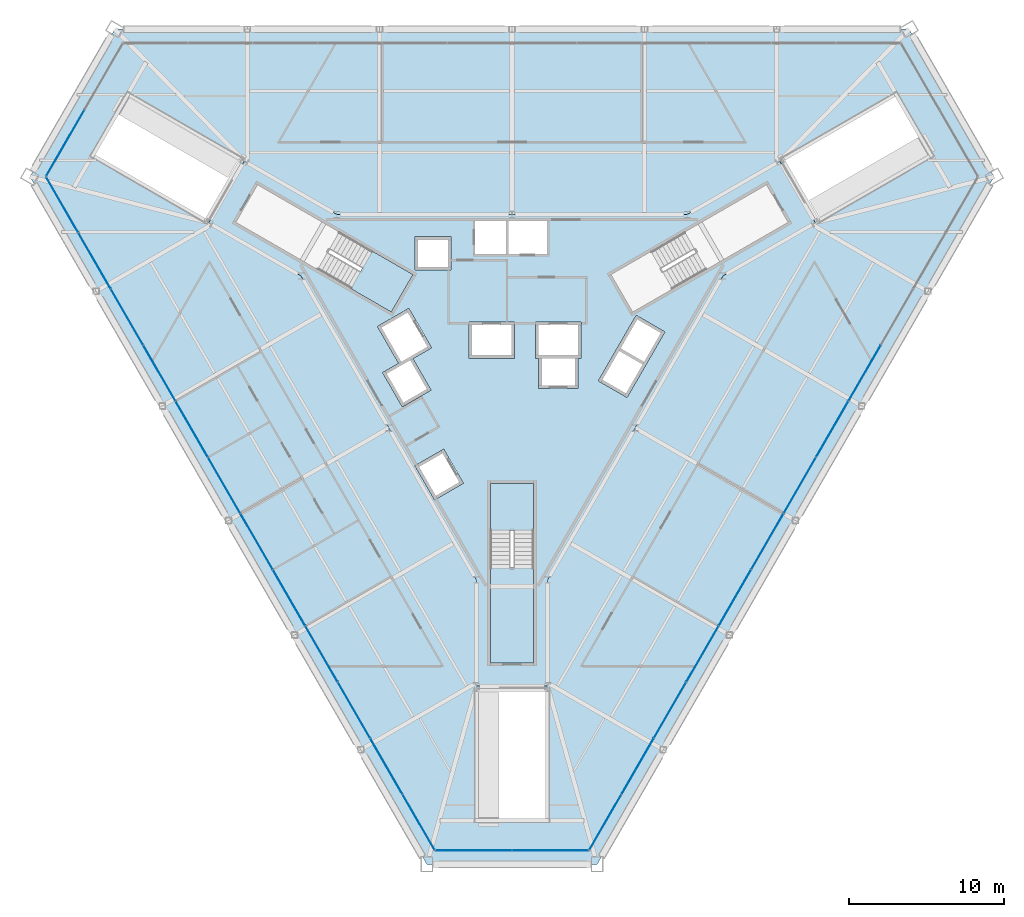
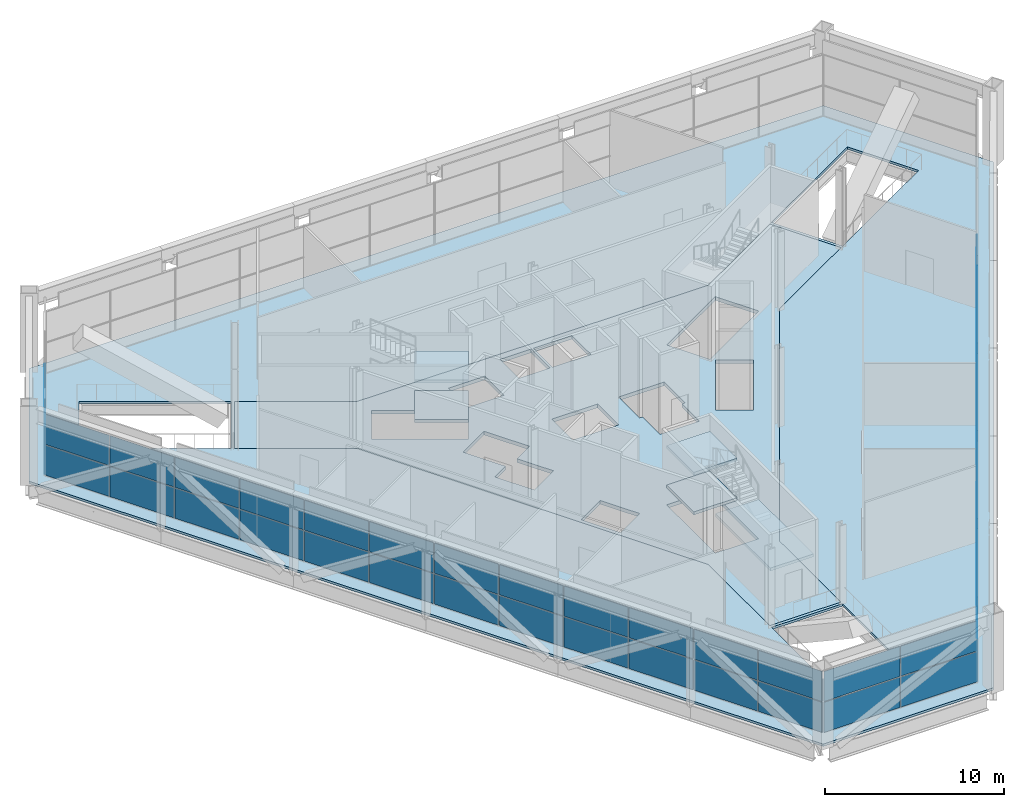
# One storey, part 11 of 20: 48 plates, 7 slabs, 6 elements without a shape of their own.
"""IFC4 building model written with IfcOpenShell, lengths in metres."""

from ifc_helpers import new_model, si_unit, direction, frame, origin, origin_2d, place, context, subcontext, project, spatial, polyline, rectangle, outline, extrude, material, layer, layer_set, type_object, element, aggregate, save


model = new_model("IFC4")

# Units and contexts
model_context = context("Model", 3, precision=1e-05, world=origin(), true_north=direction((0.0, 1.0)))
body_context = subcontext(model_context, "Body", "Model", "MODEL_VIEW")
ifc_project = project(units=[si_unit("LENGTHUNIT", "METRE"), si_unit("AREAUNIT", "SQUARE_METRE"), si_unit("VOLUMEUNIT", "CUBIC_METRE"), si_unit("PLANEANGLEUNIT", "RADIAN"), si_unit("MASSUNIT", "GRAM", prefix="KILO")], contexts=[model_context])

# Site, building, storey
site_placement = place(None, origin())
site = spatial("IfcSite", under=ifc_project, at=site_placement, CompositionType="ELEMENT")
building_placement = place(site_placement, origin())
building = spatial("IfcBuilding", under=site, at=building_placement, Name="Verrane Prism Tower", CompositionType="ELEMENT")
storey_placement = place(building_placement, frame((0.0, 0.0, 12.0)))
storey = spatial("IfcBuildingStorey", under=building, at=storey_placement, Name="L01", CompositionType="ELEMENT", Elevation=12.0)

# Curtain wall, plates
ifc_material_1 = material(Name="Aluminium and glass curtain wall", Category="aluminium")
ifc_layer_1 = layer(ifc_material_1, 0.199951171875)
ifc_layer_set_1 = layer_set([ifc_layer_1], Name="CWB-1 retail curtain wall")
curtain_wall_type = type_object("IfcCurtainWallType", Name="CWB-1 retail curtain wall", PredefinedType="NOTDEFINED", material=ifc_layer_set_1)
curtain_wall_1_placement = place(storey_placement, origin())
curtain_wall_1 = element("IfcCurtainWall", 1, at=curtain_wall_1_placement, inside=storey, type_object=curtain_wall_type, Name="Retail curtain wall L01 4", PredefinedType="NOTDEFINED")
ifc_material_2 = material(Name="Glass double glazed low-e", Category="glass")
ifc_layer_2 = layer(ifc_material_2, 0.028076171875)
ifc_layer_set_2 = layer_set([ifc_layer_2], Name="CWB-P 28 mm low-e glass panel")
plate_type_1 = type_object("IfcPlateType", Name="CWB-P 28 mm low-e glass panel", PredefinedType="CURTAIN_PANEL", material=ifc_layer_set_2)
plate_1_placement = place(storey_placement, frame((-22.79345703125, -1.060546875, 2.1748046875), z_axis=(0.0, 0.0, 1.0), x_axis=(0.50000011897, -0.866025335097, 0.0)))
plate_1 = element("IfcPlate", 2, at=plate_1_placement, type_object=plate_type_1, Name="CWB14 panel 4.2", PredefinedType="CURTAIN_PANEL", context=body_context, shape_type="SweptSolid", body=[
    extrude(rectangle(XDim=4.13134765625, YDim=0.028076171875, at=origin_2d()), origin(), (0.0, 0.0, 1.0), 2.054931640625),
])
plate_2_placement = place(storey_placement, frame((-12.315185546875, -19.20947265625, 2.1748046875), z_axis=(0.0, 0.0, 1.0), x_axis=(0.50000011897, -0.866025335097, 0.0)))
plate_2 = element("IfcPlate", 3, at=plate_2_placement, type_object=plate_type_1, Name="CWB14 panel 9.2", PredefinedType="CURTAIN_PANEL", context=body_context, shape_type="SweptSolid", body=[
    extrude(rectangle(XDim=4.13134765625, YDim=0.028076171875, at=origin_2d()), origin(), (0.0, 0.0, 1.0), 2.054931640625),
])

curtain_wall_2_placement = place(storey_placement, origin())
curtain_wall_2 = element("IfcCurtainWall", 4, at=curtain_wall_2_placement, inside=storey, type_object=curtain_wall_type, Name="Retail curtain wall L01 6", PredefinedType="NOTDEFINED")
plate_3_placement = place(storey_placement, frame((12.315185546875, -19.20947265625, 2.1748046875), z_axis=(0.0, 0.0, 1.0), x_axis=(0.50000011897, 0.866025335097, 0.0)))
plate_3 = element("IfcPlate", 5, at=plate_3_placement, type_object=plate_type_1, Name="CWB16 panel 4.2", PredefinedType="CURTAIN_PANEL", context=body_context, shape_type="SweptSolid", body=[
    extrude(rectangle(XDim=4.13134765625, YDim=0.028076171875, at=origin_2d()), origin(), (0.0, 0.0, 1.0), 2.054931640625),
])
plate_4_placement = place(storey_placement, frame((22.79345703125, -1.060546875, 2.1748046875), z_axis=(0.0, 0.0, 1.0), x_axis=(0.50000011897, 0.866025335097, 0.0)))
plate_4 = element("IfcPlate", 6, at=plate_4_placement, type_object=plate_type_1, Name="CWB16 panel 9.2", PredefinedType="CURTAIN_PANEL", context=body_context, shape_type="SweptSolid", body=[
    extrude(rectangle(XDim=4.13134765625, YDim=0.028076171875, at=origin_2d()), origin(), (0.0, 0.0, 1.0), 2.054931640625),
])

curtain_wall_3_placement = place(storey_placement, origin())
curtain_wall_3 = element("IfcCurtainWall", 7, at=curtain_wall_3_placement, inside=storey, type_object=curtain_wall_type, Name="Retail curtain wall L01 3", PredefinedType="NOTDEFINED")
ifc_material_3 = material(Name="Limestone faced insulated spandrel", Category="masonry")
ifc_layer_3 = layer(ifc_material_3, 0.028076171875)
ifc_layer_set_3 = layer_set([ifc_layer_3], Name="CWB-S 28 mm stone-faced spandrel panel")
plate_type_2 = type_object("IfcPlateType", Name="CWB-S 28 mm stone-faced spandrel panel", PredefinedType="CURTAIN_PANEL", material=ifc_layer_set_3)
plate_5_placement = place(storey_placement, frame((-28.875732421875, 13.813232421875, 0.06005859375), z_axis=(0.0, 0.0, 1.0), x_axis=(-0.499999190758, -0.866025871, 0.0)))
plate_5 = element("IfcPlate", 8, at=plate_5_placement, type_object=plate_type_2, Name="CWB13 panel 2.1", PredefinedType="CURTAIN_PANEL", context=body_context, shape_type="SweptSolid", body=[
    extrude(rectangle(XDim=4.890380859375, YDim=0.028076171875, at=origin_2d()), origin(), (0.0, 0.0, 1.0), 2.054931640625),
])
plate_6_placement = place(storey_placement, frame((-28.875732421875, 13.813232421875, 2.1748046875), z_axis=(0.0, 0.0, 1.0), x_axis=(-0.499999190758, -0.866025871, 0.0)))
plate_6 = element("IfcPlate", 9, at=plate_6_placement, type_object=plate_type_2, Name="CWB13 panel 2.2", PredefinedType="CURTAIN_PANEL", context=body_context, shape_type="SweptSolid", body=[
    extrude(rectangle(XDim=4.890380859375, YDim=0.028076171875, at=origin_2d()), origin(), (0.0, 0.0, 1.0), 2.054931640625),
])
aggregate(curtain_wall_3, [plate_5, plate_6])

# Plate
plate_7_placement = place(storey_placement, frame((-29.072998046875, 9.81591796875, 0.06005859375), z_axis=(0.0, 0.0, 1.0), x_axis=(0.50000011897, -0.866025335097, 0.0)))
plate_7 = element("IfcPlate", 10, at=plate_7_placement, type_object=plate_type_2, Name="CWB14 panel 1.1", PredefinedType="CURTAIN_PANEL", context=body_context, shape_type="SweptSolid", body=[
    extrude(rectangle(XDim=4.101318359375, YDim=0.028076171875, at=origin_2d()), origin(), (0.0, 0.0, 1.0), 2.054931640625),
])

plate_8_placement = place(storey_placement, frame((-29.072998046875, 9.81591796875, 2.1748046875), z_axis=(0.0, 0.0, 1.0), x_axis=(0.50000011897, -0.866025335097, 0.0)))
plate_8 = element("IfcPlate", 11, at=plate_8_placement, type_object=plate_type_2, Name="CWB14 panel 1.2", PredefinedType="CURTAIN_PANEL", context=body_context, shape_type="SweptSolid", body=[
    extrude(rectangle(XDim=4.101318359375, YDim=0.028076171875, at=origin_2d()), origin(), (0.0, 0.0, 1.0), 2.054931640625),
])

plate_9_placement = place(storey_placement, frame((-26.98486328125, 6.198974609375, 0.06005859375), z_axis=(0.0, 0.0, 1.0), x_axis=(0.50000011897, -0.866025335097, 0.0)))
plate_9 = element("IfcPlate", 12, at=plate_9_placement, type_object=plate_type_2, Name="CWB14 panel 2.1", PredefinedType="CURTAIN_PANEL", context=body_context, shape_type="SweptSolid", body=[
    extrude(rectangle(XDim=4.13134765625, YDim=0.028076171875, at=origin_2d()), origin(), (0.0, 0.0, 1.0), 2.054931640625),
])

plate_10_placement = place(storey_placement, frame((-26.98486328125, 6.198974609375, 2.1748046875), z_axis=(0.0, 0.0, 1.0), x_axis=(0.50000011897, -0.866025335097, 0.0)))
plate_10 = element("IfcPlate", 13, at=plate_10_placement, type_object=plate_type_2, Name="CWB14 panel 2.2", PredefinedType="CURTAIN_PANEL", context=body_context, shape_type="SweptSolid", body=[
    extrude(rectangle(XDim=4.13134765625, YDim=0.028076171875, at=origin_2d()), origin(), (0.0, 0.0, 1.0), 2.054931640625),
])

plate_11_placement = place(storey_placement, frame((-24.88916015625, 2.5693359375, 0.06005859375), z_axis=(0.0, 0.0, 1.0), x_axis=(0.50000011897, -0.866025335097, 0.0)))
plate_11 = element("IfcPlate", 14, at=plate_11_placement, type_object=plate_type_2, Name="CWB14 panel 3.1", PredefinedType="CURTAIN_PANEL", context=body_context, shape_type="SweptSolid", body=[
    extrude(rectangle(XDim=4.13134765625, YDim=0.028076171875, at=origin_2d()), origin(), (0.0, 0.0, 1.0), 2.054931640625),
])

plate_12_placement = place(storey_placement, frame((-24.88916015625, 2.5693359375, 2.1748046875), z_axis=(0.0, 0.0, 1.0), x_axis=(0.50000011897, -0.866025335097, 0.0)))
plate_12 = element("IfcPlate", 15, at=plate_12_placement, type_object=plate_type_2, Name="CWB14 panel 3.2", PredefinedType="CURTAIN_PANEL", context=body_context, shape_type="SweptSolid", body=[
    extrude(rectangle(XDim=4.13134765625, YDim=0.028076171875, at=origin_2d()), origin(), (0.0, 0.0, 1.0), 2.054931640625),
])

plate_13_placement = place(storey_placement, frame((-22.79345703125, -1.060546875, 0.06005859375), z_axis=(0.0, 0.0, 1.0), x_axis=(0.50000011897, -0.866025335097, 0.0)))
plate_13 = element("IfcPlate", 16, at=plate_13_placement, type_object=plate_type_2, Name="CWB14 panel 4.1", PredefinedType="CURTAIN_PANEL", context=body_context, shape_type="SweptSolid", body=[
    extrude(rectangle(XDim=4.13134765625, YDim=0.028076171875, at=origin_2d()), origin(), (0.0, 0.0, 1.0), 2.054931640625),
])

plate_14_placement = place(storey_placement, frame((-20.69775390625, -4.6904296875, 0.06005859375), z_axis=(0.0, 0.0, 1.0), x_axis=(0.50000011897, -0.866025335097, 0.0)))
plate_14 = element("IfcPlate", 17, at=plate_14_placement, type_object=plate_type_2, Name="CWB14 panel 5.1", PredefinedType="CURTAIN_PANEL", context=body_context, shape_type="SweptSolid", body=[
    extrude(rectangle(XDim=4.13134765625, YDim=0.028076171875, at=origin_2d()), origin(), (0.0, 0.0, 1.0), 2.054931640625),
])

plate_15_placement = place(storey_placement, frame((-20.69775390625, -4.6904296875, 2.1748046875), z_axis=(0.0, 0.0, 1.0), x_axis=(0.50000011897, -0.866025335097, 0.0)))
plate_15 = element("IfcPlate", 18, at=plate_15_placement, type_object=plate_type_2, Name="CWB14 panel 5.2", PredefinedType="CURTAIN_PANEL", context=body_context, shape_type="SweptSolid", body=[
    extrude(rectangle(XDim=4.13134765625, YDim=0.028076171875, at=origin_2d()), origin(), (0.0, 0.0, 1.0), 2.054931640625),
])

plate_16_placement = place(storey_placement, frame((-18.60205078125, -8.320068359375, 0.06005859375), z_axis=(0.0, 0.0, 1.0), x_axis=(0.50000011897, -0.866025335097, 0.0)))
plate_16 = element("IfcPlate", 19, at=plate_16_placement, type_object=plate_type_2, Name="CWB14 panel 6.1", PredefinedType="CURTAIN_PANEL", context=body_context, shape_type="SweptSolid", body=[
    extrude(rectangle(XDim=4.13134765625, YDim=0.028076171875, at=origin_2d()), origin(), (0.0, 0.0, 1.0), 2.054931640625),
])

plate_17_placement = place(storey_placement, frame((-18.60205078125, -8.320068359375, 2.1748046875), z_axis=(0.0, 0.0, 1.0), x_axis=(0.50000011897, -0.866025335097, 0.0)))
plate_17 = element("IfcPlate", 20, at=plate_17_placement, type_object=plate_type_2, Name="CWB14 panel 6.2", PredefinedType="CURTAIN_PANEL", context=body_context, shape_type="SweptSolid", body=[
    extrude(rectangle(XDim=4.13134765625, YDim=0.028076171875, at=origin_2d()), origin(), (0.0, 0.0, 1.0), 2.054931640625),
])

plate_18_placement = place(storey_placement, frame((-16.506591796875, -11.949951171875, 0.06005859375), z_axis=(0.0, 0.0, 1.0), x_axis=(0.50000011897, -0.866025335097, 0.0)))
plate_18 = element("IfcPlate", 21, at=plate_18_placement, type_object=plate_type_2, Name="CWB14 panel 7.1", PredefinedType="CURTAIN_PANEL", context=body_context, shape_type="SweptSolid", body=[
    extrude(rectangle(XDim=4.13134765625, YDim=0.028076171875, at=origin_2d()), origin(), (0.0, 0.0, 1.0), 2.054931640625),
])

plate_19_placement = place(storey_placement, frame((-16.506591796875, -11.949951171875, 2.1748046875), z_axis=(0.0, 0.0, 1.0), x_axis=(0.50000011897, -0.866025335097, 0.0)))
plate_19 = element("IfcPlate", 22, at=plate_19_placement, type_object=plate_type_2, Name="CWB14 panel 7.2", PredefinedType="CURTAIN_PANEL", context=body_context, shape_type="SweptSolid", body=[
    extrude(rectangle(XDim=4.13134765625, YDim=0.028076171875, at=origin_2d()), origin(), (0.0, 0.0, 1.0), 2.054931640625),
])

plate_20_placement = place(storey_placement, frame((-14.410888671875, -15.57958984375, 0.06005859375), z_axis=(0.0, 0.0, 1.0), x_axis=(0.50000011897, -0.866025335097, 0.0)))
plate_20 = element("IfcPlate", 23, at=plate_20_placement, type_object=plate_type_2, Name="CWB14 panel 8.1", PredefinedType="CURTAIN_PANEL", context=body_context, shape_type="SweptSolid", body=[
    extrude(rectangle(XDim=4.13134765625, YDim=0.028076171875, at=origin_2d()), origin(), (0.0, 0.0, 1.0), 2.054931640625),
])

plate_21_placement = place(storey_placement, frame((-14.410888671875, -15.57958984375, 2.1748046875), z_axis=(0.0, 0.0, 1.0), x_axis=(0.50000011897, -0.866025335097, 0.0)))
plate_21 = element("IfcPlate", 24, at=plate_21_placement, type_object=plate_type_2, Name="CWB14 panel 8.2", PredefinedType="CURTAIN_PANEL", context=body_context, shape_type="SweptSolid", body=[
    extrude(rectangle(XDim=4.13134765625, YDim=0.028076171875, at=origin_2d()), origin(), (0.0, 0.0, 1.0), 2.054931640625),
])

plate_22_placement = place(storey_placement, frame((-12.315185546875, -19.20947265625, 0.06005859375), z_axis=(0.0, 0.0, 1.0), x_axis=(0.50000011897, -0.866025335097, 0.0)))
plate_22 = element("IfcPlate", 25, at=plate_22_placement, type_object=plate_type_2, Name="CWB14 panel 9.1", PredefinedType="CURTAIN_PANEL", context=body_context, shape_type="SweptSolid", body=[
    extrude(rectangle(XDim=4.13134765625, YDim=0.028076171875, at=origin_2d()), origin(), (0.0, 0.0, 1.0), 2.054931640625),
])

plate_23_placement = place(storey_placement, frame((-10.219482421875, -22.83935546875, 0.06005859375), z_axis=(0.0, 0.0, 1.0), x_axis=(0.50000011897, -0.866025335097, 0.0)))
plate_23 = element("IfcPlate", 26, at=plate_23_placement, type_object=plate_type_2, Name="CWB14 panel 10.1", PredefinedType="CURTAIN_PANEL", context=body_context, shape_type="SweptSolid", body=[
    extrude(rectangle(XDim=4.13134765625, YDim=0.028076171875, at=origin_2d()), origin(), (0.0, 0.0, 1.0), 2.054931640625),
])

plate_24_placement = place(storey_placement, frame((-10.219482421875, -22.83935546875, 2.1748046875), z_axis=(0.0, 0.0, 1.0), x_axis=(0.50000011897, -0.866025335097, 0.0)))
plate_24 = element("IfcPlate", 27, at=plate_24_placement, type_object=plate_type_2, Name="CWB14 panel 10.2", PredefinedType="CURTAIN_PANEL", context=body_context, shape_type="SweptSolid", body=[
    extrude(rectangle(XDim=4.13134765625, YDim=0.028076171875, at=origin_2d()), origin(), (0.0, 0.0, 1.0), 2.054931640625),
])

plate_25_placement = place(storey_placement, frame((-8.123779296875, -26.468994140625, 0.06005859375), z_axis=(0.0, 0.0, 1.0), x_axis=(0.50000011897, -0.866025335097, 0.0)))
plate_25 = element("IfcPlate", 28, at=plate_25_placement, type_object=plate_type_2, Name="CWB14 panel 11.1", PredefinedType="CURTAIN_PANEL", context=body_context, shape_type="SweptSolid", body=[
    extrude(rectangle(XDim=4.13134765625, YDim=0.028076171875, at=origin_2d()), origin(), (0.0, 0.0, 1.0), 2.054931640625),
])

plate_26_placement = place(storey_placement, frame((-8.123779296875, -26.468994140625, 2.1748046875), z_axis=(0.0, 0.0, 1.0), x_axis=(0.50000011897, -0.866025335097, 0.0)))
plate_26 = element("IfcPlate", 29, at=plate_26_placement, type_object=plate_type_2, Name="CWB14 panel 11.2", PredefinedType="CURTAIN_PANEL", context=body_context, shape_type="SweptSolid", body=[
    extrude(rectangle(XDim=4.13134765625, YDim=0.028076171875, at=origin_2d()), origin(), (0.0, 0.0, 1.0), 2.054931640625),
])

plate_27_placement = place(storey_placement, frame((-6.03564453125, -30.0859375, 0.06005859375), z_axis=(0.0, 0.0, 1.0), x_axis=(0.50000011897, -0.866025335097, 0.0)))
plate_27 = element("IfcPlate", 30, at=plate_27_placement, type_object=plate_type_2, Name="CWB14 panel 12.1", PredefinedType="CURTAIN_PANEL", context=body_context, shape_type="SweptSolid", body=[
    extrude(rectangle(XDim=4.101318359375, YDim=0.028076171875, at=origin_2d()), origin(), (0.0, 0.0, 1.0), 2.054931640625),
])

plate_28_placement = place(storey_placement, frame((-6.03564453125, -30.0859375, 2.1748046875), z_axis=(0.0, 0.0, 1.0), x_axis=(0.50000011897, -0.866025335097, 0.0)))
plate_28 = element("IfcPlate", 31, at=plate_28_placement, type_object=plate_type_2, Name="CWB14 panel 12.2", PredefinedType="CURTAIN_PANEL", context=body_context, shape_type="SweptSolid", body=[
    extrude(rectangle(XDim=4.101318359375, YDim=0.028076171875, at=origin_2d()), origin(), (0.0, 0.0, 1.0), 2.054931640625),
])

aggregate(curtain_wall_1, [plate_7, plate_8, plate_9, plate_10, plate_11, plate_12, plate_13, plate_1, plate_14, plate_15, plate_16, plate_17, plate_18, plate_19, plate_20, plate_21, plate_22, plate_2, plate_23, plate_24, plate_25, plate_26, plate_27, plate_28])

# Curtain wall, plates
curtain_wall_4_placement = place(storey_placement, origin())
curtain_wall_4 = element("IfcCurtainWall", 32, at=curtain_wall_4_placement, inside=storey, type_object=curtain_wall_type, Name="Retail curtain wall L01 5", PredefinedType="NOTDEFINED")
plate_29_placement = place(storey_placement, frame((-2.47509765625, -31.913818359375, 0.06005859375), z_axis=(0.0, 0.0, 1.0), x_axis=(1.0, 0.0, 0.0)))
plate_29 = element("IfcPlate", 33, at=plate_29_placement, type_object=plate_type_2, Name="CWB15 panel 1.1", PredefinedType="CURTAIN_PANEL", context=body_context, shape_type="SweptSolid", body=[
    extrude(rectangle(XDim=4.890380859375, YDim=0.028076171875, at=origin_2d()), origin(), (0.0, 0.0, 1.0), 2.054931640625),
])
plate_30_placement = place(storey_placement, frame((-2.47509765625, -31.913818359375, 2.1748046875), z_axis=(0.0, 0.0, 1.0), x_axis=(1.0, 0.0, 0.0)))
plate_30 = element("IfcPlate", 34, at=plate_30_placement, type_object=plate_type_2, Name="CWB15 panel 1.2", PredefinedType="CURTAIN_PANEL", context=body_context, shape_type="SweptSolid", body=[
    extrude(rectangle(XDim=4.890380859375, YDim=0.028076171875, at=origin_2d()), origin(), (0.0, 0.0, 1.0), 2.054931640625),
])
plate_31_placement = place(storey_placement, frame((2.47509765625, -31.913818359375, 0.06005859375), z_axis=(0.0, 0.0, 1.0), x_axis=(1.0, 0.0, 0.0)))
plate_31 = element("IfcPlate", 35, at=plate_31_placement, type_object=plate_type_2, Name="CWB15 panel 2.1", PredefinedType="CURTAIN_PANEL", context=body_context, shape_type="SweptSolid", body=[
    extrude(rectangle(XDim=4.890380859375, YDim=0.028076171875, at=origin_2d()), origin(), (0.0, 0.0, 1.0), 2.054931640625),
])
plate_32_placement = place(storey_placement, frame((2.47509765625, -31.913818359375, 2.1748046875), z_axis=(0.0, 0.0, 1.0), x_axis=(1.0, 0.0, 0.0)))
plate_32 = element("IfcPlate", 36, at=plate_32_placement, type_object=plate_type_2, Name="CWB15 panel 2.2", PredefinedType="CURTAIN_PANEL", context=body_context, shape_type="SweptSolid", body=[
    extrude(rectangle(XDim=4.890380859375, YDim=0.028076171875, at=origin_2d()), origin(), (0.0, 0.0, 1.0), 2.054931640625),
])
aggregate(curtain_wall_4, [plate_29, plate_30, plate_31, plate_32])

# Plate
plate_33_placement = place(storey_placement, frame((6.03564453125, -30.0859375, 0.06005859375), z_axis=(0.0, 0.0, 1.0), x_axis=(0.50000011897, 0.866025335097, 0.0)))
plate_33 = element("IfcPlate", 37, at=plate_33_placement, type_object=plate_type_2, Name="CWB16 panel 1.1", PredefinedType="CURTAIN_PANEL", context=body_context, shape_type="SweptSolid", body=[
    extrude(rectangle(XDim=4.101318359375, YDim=0.028076171875, at=origin_2d()), origin(), (0.0, 0.0, 1.0), 2.054931640625),
])

plate_34_placement = place(storey_placement, frame((6.03564453125, -30.0859375, 2.1748046875), z_axis=(0.0, 0.0, 1.0), x_axis=(0.50000011897, 0.866025335097, 0.0)))
plate_34 = element("IfcPlate", 38, at=plate_34_placement, type_object=plate_type_2, Name="CWB16 panel 1.2", PredefinedType="CURTAIN_PANEL", context=body_context, shape_type="SweptSolid", body=[
    extrude(rectangle(XDim=4.101318359375, YDim=0.028076171875, at=origin_2d()), origin(), (0.0, 0.0, 1.0), 2.054931640625),
])

plate_35_placement = place(storey_placement, frame((8.123779296875, -26.468994140625, 0.06005859375), z_axis=(0.0, 0.0, 1.0), x_axis=(0.50000011897, 0.866025335097, 0.0)))
plate_35 = element("IfcPlate", 39, at=plate_35_placement, type_object=plate_type_2, Name="CWB16 panel 2.1", PredefinedType="CURTAIN_PANEL", context=body_context, shape_type="SweptSolid", body=[
    extrude(rectangle(XDim=4.13134765625, YDim=0.028076171875, at=origin_2d()), origin(), (0.0, 0.0, 1.0), 2.054931640625),
])

plate_36_placement = place(storey_placement, frame((8.123779296875, -26.468994140625, 2.1748046875), z_axis=(0.0, 0.0, 1.0), x_axis=(0.50000011897, 0.866025335097, 0.0)))
plate_36 = element("IfcPlate", 40, at=plate_36_placement, type_object=plate_type_2, Name="CWB16 panel 2.2", PredefinedType="CURTAIN_PANEL", context=body_context, shape_type="SweptSolid", body=[
    extrude(rectangle(XDim=4.13134765625, YDim=0.028076171875, at=origin_2d()), origin(), (0.0, 0.0, 1.0), 2.054931640625),
])

plate_37_placement = place(storey_placement, frame((10.219482421875, -22.83935546875, 0.06005859375), z_axis=(0.0, 0.0, 1.0), x_axis=(0.50000011897, 0.866025335097, 0.0)))
plate_37 = element("IfcPlate", 41, at=plate_37_placement, type_object=plate_type_2, Name="CWB16 panel 3.1", PredefinedType="CURTAIN_PANEL", context=body_context, shape_type="SweptSolid", body=[
    extrude(rectangle(XDim=4.13134765625, YDim=0.028076171875, at=origin_2d()), origin(), (0.0, 0.0, 1.0), 2.054931640625),
])

plate_38_placement = place(storey_placement, frame((10.219482421875, -22.83935546875, 2.1748046875), z_axis=(0.0, 0.0, 1.0), x_axis=(0.50000011897, 0.866025335097, 0.0)))
plate_38 = element("IfcPlate", 42, at=plate_38_placement, type_object=plate_type_2, Name="CWB16 panel 3.2", PredefinedType="CURTAIN_PANEL", context=body_context, shape_type="SweptSolid", body=[
    extrude(rectangle(XDim=4.13134765625, YDim=0.028076171875, at=origin_2d()), origin(), (0.0, 0.0, 1.0), 2.054931640625),
])

plate_39_placement = place(storey_placement, frame((12.315185546875, -19.20947265625, 0.06005859375), z_axis=(0.0, 0.0, 1.0), x_axis=(0.50000011897, 0.866025335097, 0.0)))
plate_39 = element("IfcPlate", 43, at=plate_39_placement, type_object=plate_type_2, Name="CWB16 panel 4.1", PredefinedType="CURTAIN_PANEL", context=body_context, shape_type="SweptSolid", body=[
    extrude(rectangle(XDim=4.13134765625, YDim=0.028076171875, at=origin_2d()), origin(), (0.0, 0.0, 1.0), 2.054931640625),
])

plate_40_placement = place(storey_placement, frame((14.410888671875, -15.57958984375, 0.06005859375), z_axis=(0.0, 0.0, 1.0), x_axis=(0.50000011897, 0.866025335097, 0.0)))
plate_40 = element("IfcPlate", 44, at=plate_40_placement, type_object=plate_type_2, Name="CWB16 panel 5.1", PredefinedType="CURTAIN_PANEL", context=body_context, shape_type="SweptSolid", body=[
    extrude(rectangle(XDim=4.13134765625, YDim=0.028076171875, at=origin_2d()), origin(), (0.0, 0.0, 1.0), 2.054931640625),
])

plate_41_placement = place(storey_placement, frame((14.410888671875, -15.57958984375, 2.1748046875), z_axis=(0.0, 0.0, 1.0), x_axis=(0.50000011897, 0.866025335097, 0.0)))
plate_41 = element("IfcPlate", 45, at=plate_41_placement, type_object=plate_type_2, Name="CWB16 panel 5.2", PredefinedType="CURTAIN_PANEL", context=body_context, shape_type="SweptSolid", body=[
    extrude(rectangle(XDim=4.13134765625, YDim=0.028076171875, at=origin_2d()), origin(), (0.0, 0.0, 1.0), 2.054931640625),
])

plate_42_placement = place(storey_placement, frame((16.506591796875, -11.949951171875, 0.06005859375), z_axis=(0.0, 0.0, 1.0), x_axis=(0.50000011897, 0.866025335097, 0.0)))
plate_42 = element("IfcPlate", 46, at=plate_42_placement, type_object=plate_type_2, Name="CWB16 panel 6.1", PredefinedType="CURTAIN_PANEL", context=body_context, shape_type="SweptSolid", body=[
    extrude(rectangle(XDim=4.13134765625, YDim=0.028076171875, at=origin_2d()), origin(), (0.0, 0.0, 1.0), 2.054931640625),
])

plate_43_placement = place(storey_placement, frame((16.506591796875, -11.949951171875, 2.1748046875), z_axis=(0.0, 0.0, 1.0), x_axis=(0.50000011897, 0.866025335097, 0.0)))
plate_43 = element("IfcPlate", 47, at=plate_43_placement, type_object=plate_type_2, Name="CWB16 panel 6.2", PredefinedType="CURTAIN_PANEL", context=body_context, shape_type="SweptSolid", body=[
    extrude(rectangle(XDim=4.13134765625, YDim=0.028076171875, at=origin_2d()), origin(), (0.0, 0.0, 1.0), 2.054931640625),
])

plate_44_placement = place(storey_placement, frame((18.60205078125, -8.320068359375, 0.06005859375), z_axis=(0.0, 0.0, 1.0), x_axis=(0.50000011897, 0.866025335097, 0.0)))
plate_44 = element("IfcPlate", 48, at=plate_44_placement, type_object=plate_type_2, Name="CWB16 panel 7.1", PredefinedType="CURTAIN_PANEL", context=body_context, shape_type="SweptSolid", body=[
    extrude(rectangle(XDim=4.13134765625, YDim=0.028076171875, at=origin_2d()), origin(), (0.0, 0.0, 1.0), 2.054931640625),
])

plate_45_placement = place(storey_placement, frame((18.60205078125, -8.320068359375, 2.1748046875), z_axis=(0.0, 0.0, 1.0), x_axis=(0.50000011897, 0.866025335097, 0.0)))
plate_45 = element("IfcPlate", 49, at=plate_45_placement, type_object=plate_type_2, Name="CWB16 panel 7.2", PredefinedType="CURTAIN_PANEL", context=body_context, shape_type="SweptSolid", body=[
    extrude(rectangle(XDim=4.13134765625, YDim=0.028076171875, at=origin_2d()), origin(), (0.0, 0.0, 1.0), 2.054931640625),
])

plate_46_placement = place(storey_placement, frame((20.69775390625, -4.6904296875, 0.06005859375), z_axis=(0.0, 0.0, 1.0), x_axis=(0.50000011897, 0.866025335097, 0.0)))
plate_46 = element("IfcPlate", 50, at=plate_46_placement, type_object=plate_type_2, Name="CWB16 panel 8.1", PredefinedType="CURTAIN_PANEL", context=body_context, shape_type="SweptSolid", body=[
    extrude(rectangle(XDim=4.13134765625, YDim=0.028076171875, at=origin_2d()), origin(), (0.0, 0.0, 1.0), 2.054931640625),
])

plate_47_placement = place(storey_placement, frame((20.69775390625, -4.6904296875, 2.1748046875), z_axis=(0.0, 0.0, 1.0), x_axis=(0.50000011897, 0.866025335097, 0.0)))
plate_47 = element("IfcPlate", 51, at=plate_47_placement, type_object=plate_type_2, Name="CWB16 panel 8.2", PredefinedType="CURTAIN_PANEL", context=body_context, shape_type="SweptSolid", body=[
    extrude(rectangle(XDim=4.13134765625, YDim=0.028076171875, at=origin_2d()), origin(), (0.0, 0.0, 1.0), 2.054931640625),
])

plate_48_placement = place(storey_placement, frame((22.79345703125, -1.060546875, 0.06005859375), z_axis=(0.0, 0.0, 1.0), x_axis=(0.50000011897, 0.866025335097, 0.0)))
plate_48 = element("IfcPlate", 52, at=plate_48_placement, type_object=plate_type_2, Name="CWB16 panel 9.1", PredefinedType="CURTAIN_PANEL", context=body_context, shape_type="SweptSolid", body=[
    extrude(rectangle(XDim=4.13134765625, YDim=0.028076171875, at=origin_2d()), origin(), (0.0, 0.0, 1.0), 2.054931640625),
])

aggregate(curtain_wall_2, [plate_33, plate_34, plate_35, plate_36, plate_37, plate_38, plate_39, plate_3, plate_40, plate_41, plate_42, plate_43, plate_44, plate_45, plate_46, plate_47, plate_48, plate_4])

# Slabs
ifc_material_4 = material(Name="Concrete C35/45", Category="concrete")
ifc_layer_4 = layer(ifc_material_4, 0.159912109375)
ifc_layer_set_4 = layer_set([ifc_layer_4], Name="Composite floor slab")
slab_type_1 = type_object("IfcSlabType", Name="Composite floor slab", PredefinedType="FLOOR", material=ifc_layer_set_4)
slab_1_placement = place(storey_placement, frame((0.0, 0.0, -0.159912109375)))
element("IfcSlab", 53, at=slab_1_placement, inside=storey, type_object=slab_type_1, Name="Floor slab L01", PredefinedType="FLOOR", context=body_context, shape_type="SweptSolid", body=[
    extrude(outline(polyline([(-25.66748046875, 21.169921875), (25.66748046875, 21.169921875), (31.16748046875, 11.643798828125), (5.5, -32.813720703125), (-5.5, -32.813720703125), (-31.16748046875, 11.643798828125), (-25.66748046875, 21.169921875)]), holes=[polyline([(0.0, 9.199951171875), (-11.330078125, 9.199951171875), (-17.300048828125, 12.639892578125), (-19.60009765625, 8.659912109375), (-13.6298828125, 5.219970703125), (-7.969970703125, -4.60009765625), (-2.300048828125, -14.419921875), (-2.300048828125, -21.300048828125), (2.300048828125, -21.300048828125), (2.300048828125, -14.419921875), (7.969970703125, -4.60009765625), (13.6298828125, 5.219970703125), (19.60009765625, 8.659912109375), (17.300048828125, 12.639892578125), (11.330078125, 9.199951171875), (0.0, 9.199951171875)]), polyline([(17.4609375, 12.73681640625), (19.760986328125, 8.753173828125), (27.130859375, 13.008056640625), (24.830810546875, 16.991943359375), (17.4609375, 12.73681640625)]), polyline([(-27.130859375, 13.008056640625), (-19.760986328125, 8.753173828125), (-17.4609375, 12.73681640625), (-24.830810546875, 16.991943359375), (-27.130859375, 13.008056640625)]), polyline([(-2.300048828125, -30.0), (2.300048828125, -30.0), (2.300048828125, -21.489990234375), (-2.300048828125, -21.489990234375), (-2.300048828125, -30.0)])]), origin(), (0.0, 0.0, 1.0), 0.159912109375),
])
ifc_material_5 = material(Name="Concrete C40/50", Category="concrete")
ifc_layer_5 = layer(ifc_material_5, 0.25)
ifc_layer_set_5 = layer_set([ifc_layer_5], Name="Core floor slab 250 concrete C40/50")
slab_type_2 = type_object("IfcSlabType", Name="Core floor slab 250 concrete C40/50", PredefinedType="FLOOR", material=ifc_layer_set_5)
slab_2_placement = place(storey_placement, frame((0.0, 0.0, -0.25)))
element("IfcSlab", 54, at=slab_2_placement, inside=storey, type_object=slab_type_2, Name="Core floor L01", PredefinedType="FLOOR", context=body_context, shape_type="SweptSolid", body=[
    extrude(outline(polyline([(13.6298828125, 5.219970703125), (19.60009765625, 8.659912109375), (17.300048828125, 12.639892578125), (11.330078125, 9.199951171875), (0.0, 9.199951171875), (-11.330078125, 9.199951171875), (-17.300048828125, 12.639892578125), (-19.60009765625, 8.659912109375), (-13.6298828125, 5.219970703125), (-7.969970703125, -4.60009765625), (-2.300048828125, -14.419921875), (-2.300048828125, -21.300048828125), (2.300048828125, -21.300048828125), (2.300048828125, -14.419921875), (7.969970703125, -4.60009765625), (13.6298828125, 5.219970703125)]), holes=[polyline([(-3.139892578125, -8.180908203125), (-5.001953125, -9.256103515625), (-6.277099609375, -7.048095703125), (-4.4150390625, -5.972900390625), (-3.139892578125, -8.180908203125)]), polyline([(0.1650390625, 2.25), (0.1650390625, -0.10009765625), (-2.784912109375, -0.10009765625), (-2.784912109375, 2.25), (0.1650390625, 2.25)]), polyline([(-7.801025390625, 2.887939453125), (-12.512939453125, 5.60791015625), (-11.113037109375, 8.031982421875), (-6.40087890625, 5.31201171875), (-7.801025390625, 2.887939453125)]), polyline([(-6.284912109375, 5.610107421875), (-6.284912109375, 7.760009765625), (-3.93505859375, 7.760009765625), (-3.93505859375, 5.610107421875), (-6.284912109375, 5.610107421875)]), polyline([(-0.375, 6.635009765625), (-2.385009765625, 6.635009765625), (-2.385009765625, 8.760009765625), (-0.375, 8.760009765625), (-0.375, 6.635009765625)]), polyline([(1.39990234375, -8.199951171875), (1.39990234375, -13.639892578125), (-1.39990234375, -13.639892578125), (-1.39990234375, -8.199951171875), (1.39990234375, -8.199951171875)]), polyline([(4.27490234375, -2.050048828125), (1.72509765625, -2.050048828125), (1.72509765625, -0.10009765625), (1.52490234375, -0.10009765625), (1.52490234375, 2.25), (4.47509765625, 2.25), (4.47509765625, -0.10009765625), (4.27490234375, -0.10009765625), (4.27490234375, -2.050048828125)]), polyline([(9.887939453125, 1.60595703125), (7.43798828125, -2.636962890625), (5.575927734375, -1.56201171875), (8.02587890625, 2.680908203125), (9.887939453125, 1.60595703125)]), polyline([(11.113037109375, 8.031982421875), (12.512939453125, 5.60791015625), (7.801025390625, 2.887939453125), (6.40087890625, 5.31201171875), (11.113037109375, 8.031982421875)]), polyline([(2.264892578125, 8.760009765625), (2.264892578125, 6.635009765625), (-0.22509765625, 6.635009765625), (-0.22509765625, 8.760009765625), (2.264892578125, 8.760009765625)]), polyline([(-5.23095703125, -2.159912109375), (-7.093017578125, -3.235107421875), (-8.367919921875, -1.02587890625), (-7.3291015625, -0.426025390625), (-8.7041015625, 1.955078125), (-6.66796875, 3.1298828125), (-5.193115234375, 0.574951171875), (-6.406005859375, -0.125), (-5.23095703125, -2.159912109375)])]), origin(), (0.0, 0.0, 1.0), 0.25),
])

# Stair, slabs
ifc_material_6 = material(Name="Concrete C40/50", Category="concrete")
stair_type = type_object("IfcStairType", Name="Exit stair 1300 dog-leg precast concrete C40/50", PredefinedType="HALF_TURN_STAIR", material=ifc_material_6)
stair_1_placement = place(storey_placement, origin())
stair_1 = element("IfcStair", 55, at=stair_1_placement, inside=storey, type_object=stair_type, Name="Stair 2 L01", PredefinedType="HALF_TURN_STAIR")
ifc_material_7 = material(Name="Concrete C40/50", Category="concrete")
ifc_layer_6 = layer(ifc_material_7, 0.199951171875)
ifc_layer_set_6 = layer_set([ifc_layer_6], Name="Stair landing 200 precast concrete C40/50")
slab_type_3 = type_object("IfcSlabType", Name="Stair landing 200 precast concrete C40/50", PredefinedType="LANDING", material=ifc_layer_set_6)
slab_3_placement = place(storey_placement, frame((0.0, 0.0, 1.14990234375)))
slab_3 = element("IfcSlab", 56, at=slab_3_placement, type_object=slab_type_3, Name="Stair 2 landing 1", PredefinedType="LANDING", context=body_context, shape_type="SweptSolid", body=[
    extrude(outline(polyline([(-10.43408203125, 4.407470703125), (-7.801513671875, 2.887451171875), (-6.4013671875, 5.3125), (-9.0341796875, 6.83251953125), (-10.43408203125, 4.407470703125)])), origin(), (0.0, 0.0, 1.0), 0.2001953125),
])
slab_4_placement = place(storey_placement, frame((0.0, 0.0, 3.85009765625)))
slab_4 = element("IfcSlab", 57, at=slab_4_placement, type_object=slab_type_3, Name="Stair 2 landing 3", PredefinedType="LANDING", context=body_context, shape_type="SweptSolid", body=[
    extrude(outline(polyline([(-10.43408203125, 4.407470703125), (-7.801513671875, 2.887451171875), (-6.4013671875, 5.3125), (-9.0341796875, 6.83251953125), (-10.43408203125, 4.407470703125)])), origin(), (0.0, 0.0, 1.0), 0.199951171875),
])
aggregate(stair_1, [slab_3, slab_4])

stair_2_placement = place(storey_placement, origin())
stair_2 = element("IfcStair", 58, at=stair_2_placement, inside=storey, type_object=stair_type, Name="Stair 3 L01", PredefinedType="HALF_TURN_STAIR")
slab_5_placement = place(storey_placement, frame((0.0, 0.0, 1.14990234375)))
slab_5 = element("IfcSlab", 59, at=slab_5_placement, type_object=slab_type_3, Name="Stair 3 landing 1", PredefinedType="LANDING", context=body_context, shape_type="SweptSolid", body=[
    extrude(outline(polyline([(1.39990234375, -11.239990234375), (1.39990234375, -8.199951171875), (-1.39990234375, -8.199951171875), (-1.39990234375, -11.239990234375), (1.39990234375, -11.239990234375)])), origin(), (0.0, 0.0, 1.0), 0.2001953125),
])
slab_6_placement = place(storey_placement, frame((0.0, 0.0, 2.5)))
slab_6 = element("IfcSlab", 60, at=slab_6_placement, type_object=slab_type_3, Name="Stair 3 landing 2", PredefinedType="LANDING", context=body_context, shape_type="SweptSolid", body=[
    extrude(outline(polyline([(1.39990234375, -19.800048828125), (1.39990234375, -13.639892578125), (-1.39990234375, -13.639892578125), (-1.39990234375, -19.800048828125), (1.39990234375, -19.800048828125)])), origin(), (0.0, 0.0, 1.0), 0.199951171875),
])
slab_7_placement = place(storey_placement, frame((0.0, 0.0, 3.85009765625)))
slab_7 = element("IfcSlab", 61, at=slab_7_placement, type_object=slab_type_3, Name="Stair 3 landing 3", PredefinedType="LANDING", context=body_context, shape_type="SweptSolid", body=[
    extrude(outline(polyline([(1.39990234375, -11.239990234375), (1.39990234375, -8.199951171875), (-1.39990234375, -8.199951171875), (-1.39990234375, -11.239990234375), (1.39990234375, -11.239990234375)])), origin(), (0.0, 0.0, 1.0), 0.199951171875),
])
aggregate(stair_2, [slab_5, slab_6, slab_7])

save(model, "model.ifc")
